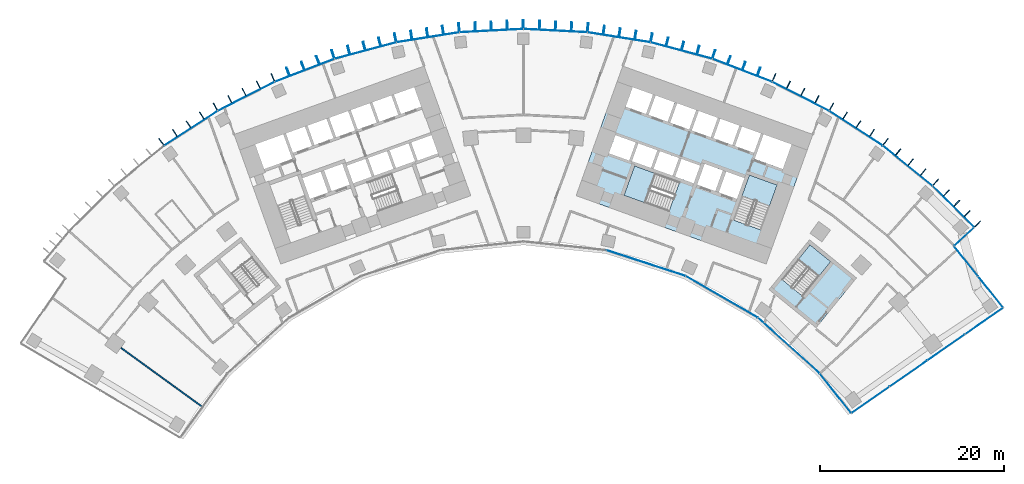
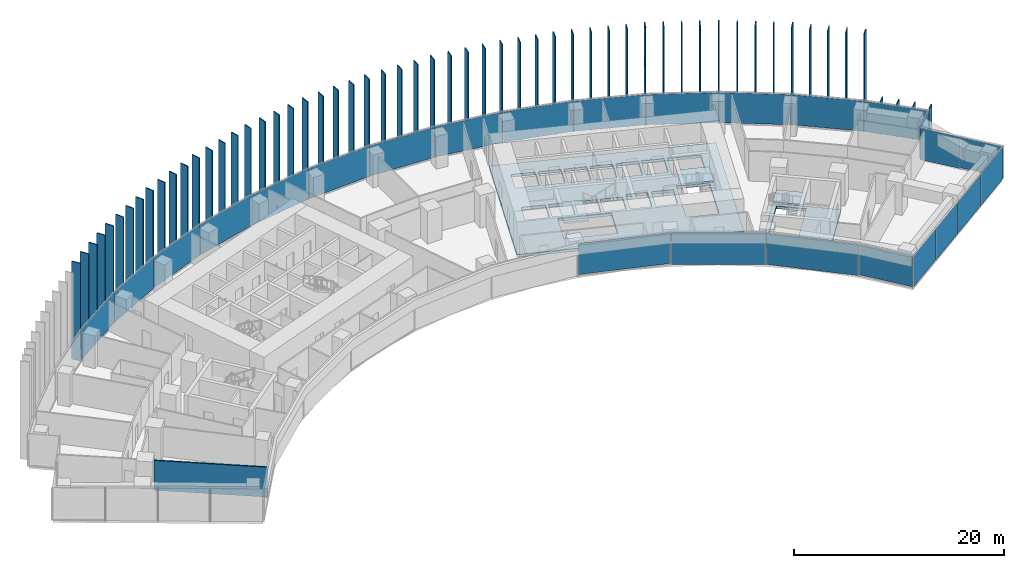
# One storey, part 16 of 24: 82 plates, 5 slabs, 1 wall, 8 elements without a shape of their own.
"""IFC4 building model written with IfcOpenShell, lengths in metres."""

from ifc_helpers import new_model, si_unit, direction, frame, frame_2d, origin, origin_2d, place, context, subcontext, project, spatial, polyline, rectangle, outline, extrude, material, layer, layer_set, type_object, element, aggregate, save


model = new_model("IFC4")

# Units and contexts
model_context = context("Model", 3, precision=1e-05, world=origin(), true_north=direction((0.0, 1.0)))
body_context = subcontext(model_context, "Body", "Model", "MODEL_VIEW")
ifc_project = project(units=[si_unit("LENGTHUNIT", "METRE"), si_unit("AREAUNIT", "SQUARE_METRE"), si_unit("VOLUMEUNIT", "CUBIC_METRE"), si_unit("PLANEANGLEUNIT", "RADIAN"), si_unit("MASSUNIT", "GRAM", prefix="KILO")], contexts=[model_context])

# Site, building, storey
site_placement = place(None, origin())
site = spatial("IfcSite", under=ifc_project, at=site_placement, CompositionType="ELEMENT")
building_placement = place(site_placement, origin())
building = spatial("IfcBuilding", under=site, at=building_placement, Name="Stone Belt Terrace Tower", CompositionType="ELEMENT")
storey_placement = place(building_placement, frame((0.0, 0.0, 64.199951171875)))
storey = spatial("IfcBuildingStorey", under=building, at=storey_placement, Name="L15", CompositionType="ELEMENT", Elevation=64.199951171875)

# Curtain wall, plates
ifc_material_1 = material(Name="Aluminium 6063-T6 anodised frame", Category="aluminium")
ifc_layer_1 = layer(ifc_material_1, 0.14990234375)
ifc_layer_set_1 = layer_set([ifc_layer_1], Name="CW-A unitised convex-face curtain wall")
curtain_wall_type_1 = type_object("IfcCurtainWallType", Name="CW-A unitised convex-face curtain wall", PredefinedType="NOTDEFINED", material=ifc_layer_set_1)
curtain_wall_1_placement = place(storey_placement, origin())
curtain_wall_1 = element("IfcCurtainWall", 1, at=curtain_wall_1_placement, inside=storey, type_object=curtain_wall_type_1, Name="CW-A convex face L15", PredefinedType="NOTDEFINED")
ifc_material_2 = material(Name="Clear double glazed unit")
ifc_layer_2 = layer(ifc_material_2, 0.031982421875)
ifc_layer_set_2 = layer_set([ifc_layer_2], Name="CW-A glass panel 32")
plate_type_1 = type_object("IfcPlateType", Name="CW-A glass panel 32", PredefinedType="CURTAIN_PANEL", material=ifc_layer_set_2)
plate_1_placement = place(storey_placement, frame((46.811279296875, 47.232421875, 0.14013671875), z_axis=(0.0, 0.0, 1.0), x_axis=(-0.710443481945, 0.703754260351, 0.0)))
plate_1 = element("IfcPlate", 2, at=plate_1_placement, type_object=plate_type_1, Name="CW-A panel 1.1", PredefinedType="CURTAIN_PANEL", context=body_context, shape_type="SweptSolid", body=[
    extrude(rectangle(XDim=6.30615234375, YDim=0.031982421875, at=origin_2d()), origin(), (0.0, 0.0, 1.0), 3.52001953125),
])
plate_2_placement = place(storey_placement, frame((41.839599609375, 51.667724609375, 0.14013671875), z_axis=(0.0, 0.0, 1.0), x_axis=(-0.777145961457, 0.62932039105, 0.0)))
plate_2 = element("IfcPlate", 3, at=plate_2_placement, type_object=plate_type_1, Name="CW-A panel 2.1", PredefinedType="CURTAIN_PANEL", context=body_context, shape_type="SweptSolid", body=[
    extrude(rectangle(XDim=6.90087890625, YDim=0.031982421875, at=origin_2d()), origin(), (0.0, 0.0, 1.0), 3.52001953125),
])
plate_3_placement = place(storey_placement, frame((36.209716796875, 55.758056640625, 0.14013671875), z_axis=(0.0, 0.0, 1.0), x_axis=(-0.838670567945, 0.544639035015, 0.0)))
plate_3 = element("IfcPlate", 4, at=plate_3_placement, type_object=plate_type_1, Name="CW-A panel 3.1", PredefinedType="CURTAIN_PANEL", context=body_context, shape_type="SweptSolid", body=[
    extrude(rectangle(XDim=6.90087890625, YDim=0.031982421875, at=origin_2d()), origin(), (0.0, 0.0, 1.0), 3.52001953125),
])
plate_4_placement = place(storey_placement, frame((30.18310546875, 59.237548828125, 0.14013671875), z_axis=(0.0, 0.0, 1.0), x_axis=(-0.891006524188, 0.45399049974, 0.0)))
plate_4 = element("IfcPlate", 5, at=plate_4_placement, type_object=plate_type_1, Name="CW-A panel 4.1", PredefinedType="CURTAIN_PANEL", context=body_context, shape_type="SweptSolid", body=[
    extrude(rectangle(XDim=6.90087890625, YDim=0.031982421875, at=origin_2d()), origin(), (0.0, 0.0, 1.0), 3.52001953125),
])
plate_5_placement = place(storey_placement, frame((23.82568359375, 62.068115234375, 0.14013671875), z_axis=(0.0, 0.0, 1.0), x_axis=(-0.933580426497, 0.358367949545, 0.0)))
plate_5 = element("IfcPlate", 6, at=plate_5_placement, type_object=plate_type_1, Name="CW-A panel 5.1", PredefinedType="CURTAIN_PANEL", context=body_context, shape_type="SweptSolid", body=[
    extrude(rectangle(XDim=6.90087890625, YDim=0.031982421875, at=origin_2d()), origin(), (0.0, 0.0, 1.0), 3.52001953125),
])
plate_6_placement = place(storey_placement, frame((17.207275390625, 64.218505859375, 0.14013671875), z_axis=(0.0, 0.0, 1.0), x_axis=(-0.965925826289, 0.258819045103, 0.0)))
plate_6 = element("IfcPlate", 7, at=plate_6_placement, type_object=plate_type_1, Name="CW-A panel 6.1", PredefinedType="CURTAIN_PANEL", context=body_context, shape_type="SweptSolid", body=[
    extrude(rectangle(XDim=6.90087890625, YDim=0.031982421875, at=origin_2d()), origin(), (0.0, 0.0, 1.0), 3.52001953125),
])
plate_7_placement = place(storey_placement, frame((10.400390625, 65.665283203125, 0.14013671875), z_axis=(0.0, 0.0, 1.0), x_axis=(-0.987688340595, 0.15643446504, 0.0)))
plate_7 = element("IfcPlate", 8, at=plate_7_placement, type_object=plate_type_1, Name="CW-A panel 7.1", PredefinedType="CURTAIN_PANEL", context=body_context, shape_type="SweptSolid", body=[
    extrude(rectangle(XDim=6.90087890625, YDim=0.031982421875, at=origin_2d()), origin(), (0.0, 0.0, 1.0), 3.52001953125),
])
plate_8_placement = place(storey_placement, frame((3.4794921875, 66.392822265625, 0.14013671875), z_axis=(0.0, 0.0, 1.0), x_axis=(-0.998629534755, 0.052335956243, 0.0)))
plate_8 = element("IfcPlate", 9, at=plate_8_placement, type_object=plate_type_1, Name="CW-A panel 8.1", PredefinedType="CURTAIN_PANEL", context=body_context, shape_type="SweptSolid", body=[
    extrude(rectangle(XDim=6.90087890625, YDim=0.031982421875, at=origin_2d()), origin(), (0.0, 0.0, 1.0), 3.52001953125),
])
plate_9_placement = place(storey_placement, frame((-3.4794921875, 66.392822265625, 0.14013671875), z_axis=(0.0, 0.0, 1.0), x_axis=(-0.998629534755, -0.052335956243, 0.0)))
plate_9 = element("IfcPlate", 10, at=plate_9_placement, type_object=plate_type_1, Name="CW-A panel 9.1", PredefinedType="CURTAIN_PANEL", context=body_context, shape_type="SweptSolid", body=[
    extrude(rectangle(XDim=6.90087890625, YDim=0.031982421875, at=origin_2d()), origin(), (0.0, 0.0, 1.0), 3.52001953125),
])
plate_10_placement = place(storey_placement, frame((-10.400390625, 65.665283203125, 0.14013671875), z_axis=(0.0, 0.0, 1.0), x_axis=(-0.987688340595, -0.15643446504, 0.0)))
plate_10 = element("IfcPlate", 11, at=plate_10_placement, type_object=plate_type_1, Name="CW-A panel 10.1", PredefinedType="CURTAIN_PANEL", context=body_context, shape_type="SweptSolid", body=[
    extrude(rectangle(XDim=6.90087890625, YDim=0.031982421875, at=origin_2d()), origin(), (0.0, 0.0, 1.0), 3.52001953125),
])
plate_11_placement = place(storey_placement, frame((-17.207275390625, 64.218505859375, 0.14013671875), z_axis=(0.0, 0.0, 1.0), x_axis=(-0.965925826289, -0.258819045103, 0.0)))
plate_11 = element("IfcPlate", 12, at=plate_11_placement, type_object=plate_type_1, Name="CW-A panel 11.1", PredefinedType="CURTAIN_PANEL", context=body_context, shape_type="SweptSolid", body=[
    extrude(rectangle(XDim=6.90087890625, YDim=0.031982421875, at=origin_2d()), origin(), (0.0, 0.0, 1.0), 3.52001953125),
])
plate_12_placement = place(storey_placement, frame((-23.82568359375, 62.068115234375, 0.14013671875), z_axis=(0.0, 0.0, 1.0), x_axis=(-0.933580426497, -0.358367949545, 0.0)))
plate_12 = element("IfcPlate", 13, at=plate_12_placement, type_object=plate_type_1, Name="CW-A panel 12.1", PredefinedType="CURTAIN_PANEL", context=body_context, shape_type="SweptSolid", body=[
    extrude(rectangle(XDim=6.90087890625, YDim=0.031982421875, at=origin_2d()), origin(), (0.0, 0.0, 1.0), 3.52001953125),
])
plate_13_placement = place(storey_placement, frame((-30.18310546875, 59.237548828125, 0.14013671875), z_axis=(0.0, 0.0, 1.0), x_axis=(-0.891006524188, -0.45399049974, 0.0)))
plate_13 = element("IfcPlate", 14, at=plate_13_placement, type_object=plate_type_1, Name="CW-A panel 13.1", PredefinedType="CURTAIN_PANEL", context=body_context, shape_type="SweptSolid", body=[
    extrude(rectangle(XDim=6.90087890625, YDim=0.031982421875, at=origin_2d()), origin(), (0.0, 0.0, 1.0), 3.52001953125),
])
plate_14_placement = place(storey_placement, frame((-36.209716796875, 55.758056640625, 0.14013671875), z_axis=(0.0, 0.0, 1.0), x_axis=(-0.838670567945, -0.544639035015, 0.0)))
plate_14 = element("IfcPlate", 15, at=plate_14_placement, type_object=plate_type_1, Name="CW-A panel 14.1", PredefinedType="CURTAIN_PANEL", context=body_context, shape_type="SweptSolid", body=[
    extrude(rectangle(XDim=6.90087890625, YDim=0.031982421875, at=origin_2d()), origin(), (0.0, 0.0, 1.0), 3.52001953125),
])
aggregate(curtain_wall_1, [plate_1, plate_2, plate_3, plate_4, plate_5, plate_6, plate_7, plate_8, plate_9, plate_10, plate_11, plate_12, plate_13, plate_14])

ifc_layer_3 = layer(ifc_material_1, 0.14990234375)
ifc_layer_set_3 = layer_set([ifc_layer_3], Name="CW-B unitised concave-face curtain wall")
curtain_wall_type_2 = type_object("IfcCurtainWallType", Name="CW-B unitised concave-face curtain wall", PredefinedType="NOTDEFINED", material=ifc_layer_set_3)
curtain_wall_2_placement = place(storey_placement, origin())
curtain_wall_2 = element("IfcCurtainWall", 16, at=curtain_wall_2_placement, inside=storey, type_object=curtain_wall_type_2, Name="CW-B concave face L15", PredefinedType="NOTDEFINED")
ifc_layer_4 = layer(ifc_material_2, 0.030029296875)
ifc_layer_set_4 = layer_set([ifc_layer_4], Name="CW-B glass panel 30")
plate_type_2 = type_object("IfcPlateType", Name="CW-B glass panel 30", PredefinedType="CURTAIN_PANEL", material=ifc_layer_set_4)
plate_15_placement = place(storey_placement, frame((13.345458984375, 41.072998046875, 0.1201171875), z_axis=(0.0, 0.0, 1.0), x_axis=(0.951056516295, -0.309016994375, 0.0)))
plate_15 = element("IfcPlate", 17, at=plate_15_placement, type_object=plate_type_2, Name="CW-B panel 7.1", PredefinedType="CURTAIN_PANEL", context=body_context, shape_type="SweptSolid", body=[
    extrude(rectangle(XDim=9.0126953125, YDim=0.030029296875, at=origin_2d()), origin(), (0.0, 0.0, 1.0), 3.56005859375),
])
plate_16_placement = place(storey_placement, frame((21.59326171875, 37.40087890625, 0.0), z_axis=(0.0, 0.0, 1.0), x_axis=(0.866025403784, -0.5, 0.0)))
plate_16 = element("IfcPlate", 18, at=plate_16_placement, type_object=plate_type_2, Name="CW-B panel 8.1", PredefinedType="CURTAIN_PANEL", context=body_context, shape_type="SweptSolid", body=[
    extrude(rectangle(XDim=9.0126953125, YDim=0.030029296875, at=origin_2d()), origin(), (0.0, 0.0, 1.0), 3.679931640625),
])
plate_17_placement = place(storey_placement, frame((28.898681640625, 32.093017578125, 0.0), z_axis=(0.0, 0.0, 1.0), x_axis=(0.743144825477, -0.669130606359, 0.0)))
plate_17 = element("IfcPlate", 19, at=plate_17_placement, type_object=plate_type_2, Name="CW-B panel 9.1", PredefinedType="CURTAIN_PANEL", context=body_context, shape_type="SweptSolid", body=[
    extrude(rectangle(XDim=9.015869140625, YDim=0.030029296875, at=origin_2d()), origin(), (0.0, 0.0, 1.0), 3.679931640625),
])
plate_18_placement = place(storey_placement, frame((33.979248046875, 26.901123046875, 0.1201171875), z_axis=(0.0, 0.0, 1.0), x_axis=(0.621063679913, -0.783760107108, 0.0)))
plate_18 = element("IfcPlate", 20, at=plate_18_placement, type_object=plate_type_2, Name="CW-B panel 10.1", PredefinedType="CURTAIN_PANEL", context=body_context, shape_type="SweptSolid", body=[
    extrude(rectangle(XDim=5.435546875, YDim=0.030029296875, at=origin_2d()), origin(), (0.0, 0.0, 1.0), 3.56005859375),
])
aggregate(curtain_wall_2, [plate_15, plate_16, plate_17, plate_18])

ifc_layer_5 = layer(ifc_material_1, 0.14990234375)
ifc_layer_set_5 = layer_set([ifc_layer_5], Name="CW-C stick curtain wall, horn ends and notches")
curtain_wall_type_3 = type_object("IfcCurtainWallType", Name="CW-C stick curtain wall, horn ends and notches", PredefinedType="NOTDEFINED", material=ifc_layer_set_5)
curtain_wall_3_placement = place(storey_placement, origin())
curtain_wall_3 = element("IfcCurtainWall", 21, at=curtain_wall_3_placement, inside=storey, type_object=curtain_wall_type_3, Name="CW-C end face L15", PredefinedType="NOTDEFINED")
ifc_layer_6 = layer(ifc_material_2, 0.028076171875)
ifc_layer_set_6 = layer_set([ifc_layer_6], Name="CW-C glass panel 28")
plate_type_3 = type_object("IfcPlateType", Name="CW-C glass panel 28", PredefinedType="CURTAIN_PANEL", material=ifc_layer_set_6)
plate_19_placement = place(storey_placement, frame((37.81005859375, 26.17529296875, 0.1201171875), z_axis=(0.0, 0.0, 1.0), x_axis=(0.821271674793, 0.570537322339, 0.0)))
plate_19 = element("IfcPlate", 22, at=plate_19_placement, type_object=plate_type_3, Name="CW-C panel 1.1", PredefinedType="CURTAIN_PANEL", context=body_context, shape_type="SweptSolid", body=[
    extrude(rectangle(XDim=4.96728515625, YDim=0.028076171875, at=origin_2d()), origin(), (0.0, 0.0, 1.0), 3.56005859375),
])
plate_20_placement = place(storey_placement, frame((41.927734375, 29.035888671875, 0.0), z_axis=(0.0, 0.0, 1.0), x_axis=(0.821271674793, 0.570537322339, 0.0)))
plate_20 = element("IfcPlate", 23, at=plate_20_placement, type_object=plate_type_3, Name="CW-C panel 2.1", PredefinedType="CURTAIN_PANEL", context=body_context, shape_type="SweptSolid", body=[
    extrude(rectangle(XDim=4.93994140625, YDim=0.028076171875, at=origin_2d()), origin(), (0.0, 0.0, 1.0), 3.679931640625),
])
plate_21_placement = place(storey_placement, frame((46.033935546875, 31.888427734375, 0.0), z_axis=(0.0, 0.0, 1.0), x_axis=(0.821271674793, 0.570537322339, 0.0)))
plate_21 = element("IfcPlate", 24, at=plate_21_placement, type_object=plate_type_3, Name="CW-C panel 3.1", PredefinedType="CURTAIN_PANEL", context=body_context, shape_type="SweptSolid", body=[
    extrude(rectangle(XDim=4.93994140625, YDim=0.028076171875, at=origin_2d()), origin(), (0.0, 0.0, 1.0), 3.679931640625),
])
plate_22_placement = place(storey_placement, frame((50.15478515625, 34.751220703125, 0.0), z_axis=(0.0, 0.0, 1.0), x_axis=(0.821271674793, 0.570537322339, 0.0)))
plate_22 = element("IfcPlate", 25, at=plate_22_placement, type_object=plate_type_3, Name="CW-C panel 4.1", PredefinedType="CURTAIN_PANEL", context=body_context, shape_type="SweptSolid", body=[
    extrude(rectangle(XDim=4.974853515625, YDim=0.028076171875, at=origin_2d()), origin(), (0.0, 0.0, 1.0), 3.679931640625),
])
aggregate(curtain_wall_3, [plate_19, plate_20, plate_21, plate_22])

curtain_wall_4_placement = place(storey_placement, origin())
curtain_wall_4 = element("IfcCurtainWall", 26, at=curtain_wall_4_placement, inside=storey, type_object=curtain_wall_type_3, Name="CW-C notch face L15", PredefinedType="NOTDEFINED")
plate_23_placement = place(storey_placement, frame((50.87890625, 37.938720703125, 0.1201171875), z_axis=(0.0, 0.0, 1.0), x_axis=(-0.624763912959, 0.780813712139, 0.0)))
plate_23 = element("IfcPlate", 27, at=plate_23_placement, type_object=plate_type_3, Name="CW-C panel 1.1", PredefinedType="CURTAIN_PANEL", context=body_context, shape_type="SweptSolid", body=[
    extrude(rectangle(XDim=4.268798828125, YDim=0.028076171875, at=origin_2d()), origin(), (0.0, 0.0, 1.0), 3.56005859375),
])
plate_24_placement = place(storey_placement, frame((48.220947265625, 41.2607421875, 0.0), z_axis=(0.0, 0.0, 1.0), x_axis=(-0.624763912959, 0.780813712139, 0.0)))
plate_24 = element("IfcPlate", 28, at=plate_24_placement, type_object=plate_type_3, Name="CW-C panel 2.1", PredefinedType="CURTAIN_PANEL", context=body_context, shape_type="SweptSolid", body=[
    extrude(rectangle(XDim=4.12060546875, YDim=0.028076171875, at=origin_2d()), origin(), (0.0, 0.0, 1.0), 3.679931640625),
])
aggregate(curtain_wall_4, [plate_23, plate_24])

# Curtain wall, plate
curtain_wall_5_placement = place(storey_placement, origin())
curtain_wall_5 = element("IfcCurtainWall", 29, at=curtain_wall_5_placement, inside=storey, type_object=curtain_wall_type_3, Name="CW-C notch face L15", PredefinedType="NOTDEFINED")
plate_25_placement = place(storey_placement, frame((47.99560546875, 43.94287109375, 0.1201171875), z_axis=(0.0, 0.0, 1.0), x_axis=(0.736781676311, 0.676130728078, 0.0)))
plate_25 = element("IfcPlate", 30, at=plate_25_placement, type_object=plate_type_3, Name="CW-C panel 1.1", PredefinedType="CURTAIN_PANEL", context=body_context, shape_type="SweptSolid", body=[
    extrude(rectangle(XDim=2.8603515625, YDim=0.028076171875, at=origin_2d()), origin(), (0.0, 0.0, 1.0), 3.56005859375),
])
aggregate(curtain_wall_5, [plate_25])

# Slabs
ifc_material_3 = material(Name="Concrete B40", Category="concrete")
ifc_layer_7 = layer(ifc_material_3, 0.320068359375)
ifc_layer_set_7 = layer_set([ifc_layer_7], Name="Core floor slab 320")
slab_type_1 = type_object("IfcSlabType", Name="Core floor slab 320", PredefinedType="FLOOR", material=ifc_layer_set_7)
slab_1_placement = place(storey_placement, frame((0.0, 0.0, -0.320068359375)))
element("IfcSlab", 31, at=slab_1_placement, inside=storey, type_object=slab_type_1, Name="Core B floor L15", PredefinedType="FLOOR", context=body_context, shape_type="SweptSolid", body=[
    extrude(outline(polyline([(26.43505859375, 40.968994140625), (31.513916015625, 55.0830078125), (10.81396484375, 62.531982421875), (5.735107421875, 48.4189453125), (26.43505859375, 40.968994140625)]), holes=[polyline([(12.10595703125, 51.652099609375), (16.998046875, 49.89208984375), (15.846923828125, 46.69189453125), (10.955078125, 48.452880859375), (12.10595703125, 51.652099609375)]), polyline([(19.239990234375, 51.68896484375), (18.5458984375, 49.760009765625), (16.52294921875, 50.488037109375), (17.217041015625, 52.4169921875), (19.239990234375, 51.68896484375)]), polyline([(16.239990234375, 50.589111328125), (14.169921875, 51.333984375), (14.864013671875, 53.262939453125), (16.93408203125, 52.51806640625), (16.239990234375, 50.589111328125)]), polyline([(14.58203125, 53.364990234375), (13.887939453125, 51.43603515625), (11.864990234375, 52.1640625), (11.847900390625, 52.116943359375), (11.801025390625, 52.134033203125), (12.511962890625, 54.110107421875), (14.58203125, 53.364990234375)]), polyline([(9.30810546875, 53.031005859375), (10.01904296875, 55.007080078125), (12.22998046875, 54.2109375), (11.51904296875, 52.235107421875), (9.30810546875, 53.031005859375)]), polyline([(16.743896484375, 58.485107421875), (18.81396484375, 57.739990234375), (18.052001953125, 55.623046875), (15.98193359375, 56.367919921875), (16.743896484375, 58.485107421875)]), polyline([(14.39111328125, 59.33203125), (16.4609375, 58.5869140625), (15.699951171875, 56.469970703125), (13.6298828125, 57.215087890625), (14.39111328125, 59.33203125)]), polyline([(11.89794921875, 60.22900390625), (14.10888671875, 59.43408203125), (13.346923828125, 57.31591796875), (11.135986328125, 58.112060546875), (11.89794921875, 60.22900390625)]), polyline([(25.85888671875, 44.68408203125), (22.847900390625, 45.76806640625), (24.60791015625, 50.659912109375), (27.618896484375, 49.575927734375), (25.85888671875, 44.68408203125)]), polyline([(21.27392578125, 48.778076171875), (22.0869140625, 51.035888671875), (24.06298828125, 50.324951171875), (23.25, 48.06689453125), (21.27392578125, 48.778076171875)]), polyline([(18.922119140625, 49.6240234375), (19.735107421875, 51.883056640625), (21.7109375, 51.1708984375), (20.89794921875, 48.9130859375), (18.922119140625, 49.6240234375)]), polyline([(29.2109375, 53.9990234375), (28.24609375, 51.31689453125), (25.18798828125, 52.41796875), (26.153076171875, 55.09912109375), (29.2109375, 53.9990234375)]), polyline([(23.801025390625, 55.946044921875), (25.87109375, 55.200927734375), (25.10888671875, 53.083984375), (23.0390625, 53.8291015625), (23.801025390625, 55.946044921875)]), polyline([(21.447998046875, 56.7919921875), (23.51806640625, 56.047119140625), (22.756103515625, 53.929931640625), (20.68603515625, 54.675048828125), (21.447998046875, 56.7919921875)]), polyline([(19.095947265625, 57.638916015625), (21.166015625, 56.89404296875), (20.404052734375, 54.777099609375), (18.333984375, 55.52197265625), (19.095947265625, 57.638916015625)])]), origin(), (0.0, 0.0, 1.0), 0.320068359375),
])
slab_2_placement = place(storey_placement, frame((0.0, 0.0, -0.320068359375)))
element("IfcSlab", 32, at=slab_2_placement, inside=storey, type_object=slab_type_1, Name="Exit stair ST3B floor L15", PredefinedType="FLOOR", context=body_context, shape_type="SweptSolid", body=[
    extrude(outline(polyline([(26.741943359375, 38.18408203125), (31.866943359375, 34.02392578125), (36.278076171875, 39.458984375), (31.154052734375, 43.618896484375), (26.741943359375, 38.18408203125)]), holes=[polyline([(30.407958984375, 37.462890625), (28.156005859375, 39.291015625), (31.2119140625, 43.055908203125), (33.464111328125, 41.22802734375), (30.407958984375, 37.462890625)])]), origin(), (0.0, 0.0, 1.0), 0.320068359375),
])

# Stair, slab
stair_type = type_object("IfcStairType", Name="Exit stair 1500", PredefinedType="HALF_TURN_STAIR", material=ifc_material_3)
stair_1_placement = place(storey_placement, origin())
stair_1 = element("IfcStair", 33, at=stair_1_placement, inside=storey, type_object=stair_type, Name="L15 Exit stair 1 core B", PredefinedType="HALF_TURN_STAIR")
ifc_layer_8 = layer(ifc_material_3, 0.199951171875)
ifc_layer_set_8 = layer_set([ifc_layer_8], Name="Stair landing 200")
slab_type_2 = type_object("IfcSlabType", Name="Stair landing 200", PredefinedType="LANDING", material=ifc_layer_set_8)
slab_3_placement = place(storey_placement, frame((0.0, 0.0, 1.699951171875)))
slab_3 = element("IfcSlab", 34, at=slab_3_placement, type_object=slab_type_2, Name="ST1B landing 1", PredefinedType="LANDING", context=body_context, shape_type="SweptSolid", body=[
    extrude(outline(polyline([(26.806396484375, 47.3173828125), (27.619384765625, 49.576171875), (24.6083984375, 50.659912109375), (23.79541015625, 48.40087890625), (26.806396484375, 47.3173828125)])), origin(), (0.0, 0.0, 1.0), 0.2001953125),
])
aggregate(stair_1, [slab_3])

stair_2_placement = place(storey_placement, origin())
stair_2 = element("IfcStair", 35, at=stair_2_placement, inside=storey, type_object=stair_type, Name="L15 Exit stair 2 core B", PredefinedType="HALF_TURN_STAIR")
slab_4_placement = place(storey_placement, frame((0.0, 0.0, 1.699951171875)))
slab_4 = element("IfcSlab", 36, at=slab_4_placement, type_object=slab_type_2, Name="ST2B landing 1", PredefinedType="LANDING", context=body_context, shape_type="SweptSolid", body=[
    extrude(outline(polyline([(14.36474609375, 50.839111328125), (12.10595703125, 51.652099609375), (10.95458984375, 48.453125), (13.213623046875, 47.64013671875), (14.36474609375, 50.839111328125)])), origin(), (0.0, 0.0, 1.0), 0.2001953125),
])
aggregate(stair_2, [slab_4])

stair_3_placement = place(storey_placement, origin())
stair_3 = element("IfcStair", 37, at=stair_3_placement, inside=storey, type_object=stair_type, Name="L15 Exit stair 3B", PredefinedType="HALF_TURN_STAIR")
slab_5_placement = place(storey_placement, frame((0.0, 0.0, 1.699951171875)))
slab_5 = element("IfcSlab", 38, at=slab_5_placement, type_object=slab_type_2, Name="ST3B landing 1", PredefinedType="LANDING", context=body_context, shape_type="SweptSolid", body=[
    extrude(outline(polyline([(32.17138671875, 39.635986328125), (33.4638671875, 41.228271484375), (31.21240234375, 43.055908203125), (29.919921875, 41.463623046875), (32.17138671875, 39.635986328125)])), origin(), (0.0, 0.0, 1.0), 0.2001953125),
])
aggregate(stair_3, [slab_5])

# Plates
ifc_material_4 = material(Name="Terracotta coloured glazed ceramic", Category="masonry")
ifc_layer_9 = layer(ifc_material_4, 0.10009765625)
ifc_layer_set_9 = layer_set([ifc_layer_9], Name="Terracotta fin 100 x 900")
plate_type_4 = type_object("IfcPlateType", Name="Terracotta fin 100 x 900", PredefinedType="SHEET", material=ifc_layer_set_9)
for number, where, z_axis, x_axis, name in (
    (39, (49.47412109375, 45.33349609375, 0.0), (0.0, 0.0, 1.0), (0.703754260351, 0.710443481945, 0.0), "FIN L15 1.1"),
    (40, (48.334716796875, 46.462158203125, 0.0), (0.0, 0.0, 1.0), (0.703754260351, 0.710443481945, 0.0), "FIN L15 1.2"),
    (41, (47.195556640625, 47.5908203125, 0.0), (0.0, 0.0, 1.0), (0.703754260351, 0.710443481945, 0.0), "FIN L15 1.3"),
    (42, (46.05615234375, 48.719482421875, 0.0), (0.0, 0.0, 1.0), (0.703754260351, 0.710443481945, 0.0), "FIN L15 1.4"),
):
    element("IfcPlate", number, at=place(storey_placement, frame(where, z_axis=z_axis, x_axis=x_axis)), inside=storey, type_object=plate_type_4, Name=name, PredefinedType="SHEET", context=body_context, shape_type="SweptSolid", body=[
        extrude(rectangle(XDim=0.89990234375, YDim=0.10009765625, at=origin_2d()), origin(), (0.0, 0.0, 1.0), 3.800048828125),
    ])
for number, where, z_axis, x_axis, name in (
    (43, (44.897705078125, 49.865966796875, 0.0), (0.0, 0.0, 1.0), (0.667371194866, 0.744725243471, 0.0), "FIN L15 2.1"),
    (44, (43.52392578125, 50.9794921875, 0.0), (0.0, 0.0, 1.0), (0.62932039105, 0.777145961457, 0.0), "FIN L15 2.2"),
    (45, (42.169921875, 52.07568359375, 0.0), (0.0, 0.0, 1.0), (0.62932039105, 0.777145961457, 0.0), "FIN L15 2.3"),
    (46, (40.816162109375, 53.172119140625, 0.0), (0.0, 0.0, 1.0), (0.62932039105, 0.777145961457, 0.0), "FIN L15 2.4"),
    (47, (39.4404296875, 54.28515625, 0.0), (0.0, 0.0, 1.0), (0.587785252292, 0.809016994375, 0.0), "FIN L15 3.1"),
    (48, (37.956787109375, 55.24951171875, 0.0), (0.0, 0.0, 1.0), (0.544639035015, 0.838670567945, 0.0), "FIN L15 3.2"),
    (49, (36.49560546875, 56.1982421875, 0.0), (0.0, 0.0, 1.0), (0.544639035015, 0.838670567945, 0.0), "FIN L15 3.3"),
    (50, (35.03466796875, 57.147216796875, 0.0), (0.0, 0.0, 1.0), (0.544639035015, 0.838670567945, 0.0), "FIN L15 3.4"),
    (51, (33.550048828125, 58.1103515625, 0.0), (0.0, 0.0, 1.0), (0.5, 0.866025403784, 0.0), "FIN L15 4.1"),
    (52, (31.9736328125, 58.914306640625, 0.0), (0.0, 0.0, 1.0), (0.45399049974, 0.891006524188, 0.0), "FIN L15 4.2"),
    (53, (30.42138671875, 59.705322265625, 0.0), (0.0, 0.0, 1.0), (0.45399049974, 0.891006524188, 0.0), "FIN L15 4.3"),
    (54, (28.869140625, 60.496337890625, 0.0), (0.0, 0.0, 1.0), (0.45399049974, 0.891006524188, 0.0), "FIN L15 4.4"),
    (55, (27.2919921875, 61.299072265625, 0.0), (0.0, 0.0, 1.0), (0.406736643076, 0.913545457643, 0.0), "FIN L15 5.1"),
    (56, (25.64013671875, 61.933837890625, 0.0), (0.0, 0.0, 1.0), (0.358367949545, 0.933580426497, 0.0), "FIN L15 5.2"),
    (57, (24.013916015625, 62.55810546875, 0.0), (0.0, 0.0, 1.0), (0.358367949545, 0.933580426497, 0.0), "FIN L15 5.3"),
    (58, (22.387451171875, 63.182373046875, 0.0), (0.0, 0.0, 1.0), (0.358367949545, 0.933580426497, 0.0), "FIN L15 5.4"),
    (59, (20.735107421875, 63.81591796875, 0.0), (0.0, 0.0, 1.0), (0.309016994375, 0.951056516295, 0.0), "FIN L15 6.1"),
    (60, (19.02587890625, 64.274658203125, 0.0), (0.0, 0.0, 1.0), (0.258819045103, 0.965925826289, 0.0), "FIN L15 6.2"),
    (61, (17.34326171875, 64.7255859375, 0.0), (0.0, 0.0, 1.0), (0.258819045103, 0.965925826289, 0.0), "FIN L15 6.3"),
    (62, (15.660400390625, 65.176513671875, 0.0), (0.0, 0.0, 1.0), (0.258819045103, 0.965925826289, 0.0), "FIN L15 6.4"),
    (63, (13.950927734375, 65.6337890625, 0.0), (0.0, 0.0, 1.0), (0.207911690818, 0.978147600734, 0.0), "FIN L15 7.1"),
    (64, (12.203125, 65.911376953125, 0.0), (0.0, 0.0, 1.0), (0.15643446504, 0.987688340595, 0.0), "FIN L15 7.2"),
    (65, (10.482421875, 66.183837890625, 0.0), (0.0, 0.0, 1.0), (0.15643446504, 0.987688340595, 0.0), "FIN L15 7.3"),
    (66, (8.76171875, 66.456298828125, 0.0), (0.0, 0.0, 1.0), (0.15643446504, 0.987688340595, 0.0), "FIN L15 7.4"),
    (67, (7.013916015625, 66.732421875, 0.0), (0.0, 0.0, 1.0), (0.104528463268, 0.994521895368, 0.0), "FIN L15 8.1"),
    (68, (5.246826171875, 66.825927734375, 0.0), (0.0, 0.0, 1.0), (0.052335956243, 0.998629534755, 0.0), "FIN L15 8.2"),
    (69, (3.507080078125, 66.9169921875, 0.0), (0.0, 0.0, 1.0), (0.052335956243, 0.998629534755, 0.0), "FIN L15 8.3"),
    (70, (1.767333984375, 67.00830078125, 0.0), (0.0, 0.0, 1.0), (0.052335956243, 0.998629534755, 0.0), "FIN L15 8.4"),
    (71, (0.0, 67.10009765625, 0.0), (0.0, 0.0, 1.0), (0.0, 1.0, 0.0), "FIN L15 9.1"),
    (72, (-1.767333984375, 67.00830078125, 0.0), (0.0, 0.0, 1.0), (-0.052335956243, 0.998629534755, 0.0), "FIN L15 9.2"),
    (73, (-3.507080078125, 66.9169921875, 0.0), (0.0, 0.0, 1.0), (-0.052335956243, 0.998629534755, 0.0), "FIN L15 9.3"),
    (74, (-5.246826171875, 66.825927734375, 0.0), (0.0, 0.0, 1.0), (-0.052335956243, 0.998629534755, 0.0), "FIN L15 9.4"),
    (75, (-7.013916015625, 66.732421875, 0.0), (0.0, 0.0, 1.0), (-0.104528463268, 0.994521895368, 0.0), "FIN L15 10.1"),
    (76, (-8.76171875, 66.456298828125, 0.0), (0.0, 0.0, 1.0), (-0.15643446504, 0.987688340595, 0.0), "FIN L15 10.2"),
    (77, (-10.482421875, 66.183837890625, 0.0), (0.0, 0.0, 1.0), (-0.15643446504, 0.987688340595, 0.0), "FIN L15 10.3"),
    (78, (-12.203125, 65.911376953125, 0.0), (0.0, 0.0, 1.0), (-0.15643446504, 0.987688340595, 0.0), "FIN L15 10.4"),
    (79, (-13.950927734375, 65.6337890625, 0.0), (0.0, 0.0, 1.0), (-0.207911690818, 0.978147600734, 0.0), "FIN L15 11.1"),
    (80, (-15.660400390625, 65.176513671875, 0.0), (0.0, 0.0, 1.0), (-0.258819045103, 0.965925826289, 0.0), "FIN L15 11.2"),
    (81, (-17.34326171875, 64.7255859375, 0.0), (0.0, 0.0, 1.0), (-0.258819045103, 0.965925826289, 0.0), "FIN L15 11.3"),
    (82, (-19.02587890625, 64.274658203125, 0.0), (0.0, 0.0, 1.0), (-0.258819045103, 0.965925826289, 0.0), "FIN L15 11.4"),
    (83, (-20.735107421875, 63.81591796875, 0.0), (0.0, 0.0, 1.0), (-0.309016994375, 0.951056516295, 0.0), "FIN L15 12.1"),
    (84, (-22.387451171875, 63.182373046875, 0.0), (0.0, 0.0, 1.0), (-0.358367949545, 0.933580426497, 0.0), "FIN L15 12.2"),
    (85, (-24.013916015625, 62.55810546875, 0.0), (0.0, 0.0, 1.0), (-0.358367949545, 0.933580426497, 0.0), "FIN L15 12.3"),
    (86, (-25.64013671875, 61.933837890625, 0.0), (0.0, 0.0, 1.0), (-0.358367949545, 0.933580426497, 0.0), "FIN L15 12.4"),
    (87, (-27.2919921875, 61.299072265625, 0.0), (0.0, 0.0, 1.0), (-0.406736643076, 0.913545457643, 0.0), "FIN L15 13.1"),
    (88, (-28.869140625, 60.496337890625, 0.0), (0.0, 0.0, 1.0), (-0.45399049974, 0.891006524188, 0.0), "FIN L15 13.2"),
    (89, (-30.42138671875, 59.705322265625, 0.0), (0.0, 0.0, 1.0), (-0.45399049974, 0.891006524188, 0.0), "FIN L15 13.3"),
    (90, (-31.9736328125, 58.914306640625, 0.0), (0.0, 0.0, 1.0), (-0.45399049974, 0.891006524188, 0.0), "FIN L15 13.4"),
    (91, (-33.550048828125, 58.1103515625, 0.0), (0.0, 0.0, 1.0), (-0.5, 0.866025403784, 0.0), "FIN L15 14.1"),
    (92, (-35.03466796875, 57.147216796875, 0.0), (0.0, 0.0, 1.0), (-0.544639035015, 0.838670567945, 0.0), "FIN L15 14.2"),
    (93, (-36.49560546875, 56.1982421875, 0.0), (0.0, 0.0, 1.0), (-0.544639035015, 0.838670567945, 0.0), "FIN L15 14.3"),
    (94, (-37.956787109375, 55.24951171875, 0.0), (0.0, 0.0, 1.0), (-0.544639035015, 0.838670567945, 0.0), "FIN L15 14.4"),
    (95, (-39.4404296875, 54.28515625, 0.0), (0.0, 0.0, 1.0), (-0.587785252292, 0.809016994375, 0.0), "FIN L15 15.1"),
):
    element("IfcPlate", number, at=place(storey_placement, frame(where, z_axis=z_axis, x_axis=x_axis)), inside=storey, type_object=plate_type_4, Name=name, PredefinedType="SHEET", context=body_context, shape_type="SweptSolid", body=[
        extrude(rectangle(XDim=0.89990234375, YDim=0.10009765625, at=origin_2d()), origin(), (0.0, 0.0, 1.0), 11.39990234375),
    ])

# Wall
ifc_material_5 = material(Name="Gypsum board partition")
ifc_layer_10 = layer(ifc_material_5, 0.14990234375)
ifc_layer_set_10 = layer_set([ifc_layer_10], Name="PARTITION 150 EI 60")
wall_type = type_object("IfcWallType", Name="PARTITION 150 EI 60", PredefinedType="PARTITIONING", material=ifc_layer_set_10)
wall_placement = place(storey_placement, frame((-43.82470703125, 31.83984375, 0.0), z_axis=(0.0, 0.0, 1.0), x_axis=(0.80903281135, -0.587763481478, 0.0)))
element("IfcWall", 96, at=wall_placement, inside=storey, type_object=wall_type, Name="L15/wall/i038", PredefinedType="PARTITIONING", context=body_context, shape_type="SweptSolid", body=[
    extrude(rectangle(XDim=10.883544921875, YDim=0.14990234375, at=frame_2d((5.44189453125, 0.0))), origin(), (0.0, 0.0, 1.0), 3.47998046875),
])

save(model, "model.ifc")
